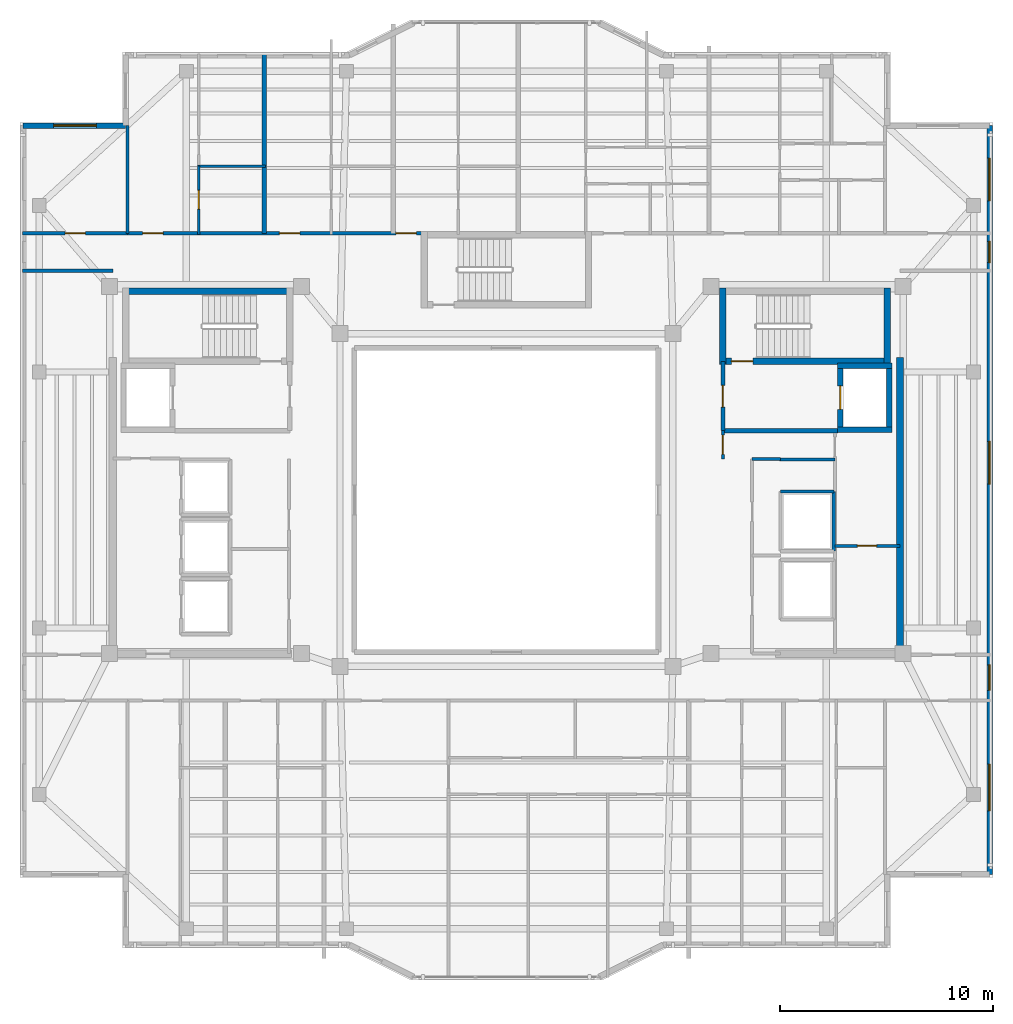
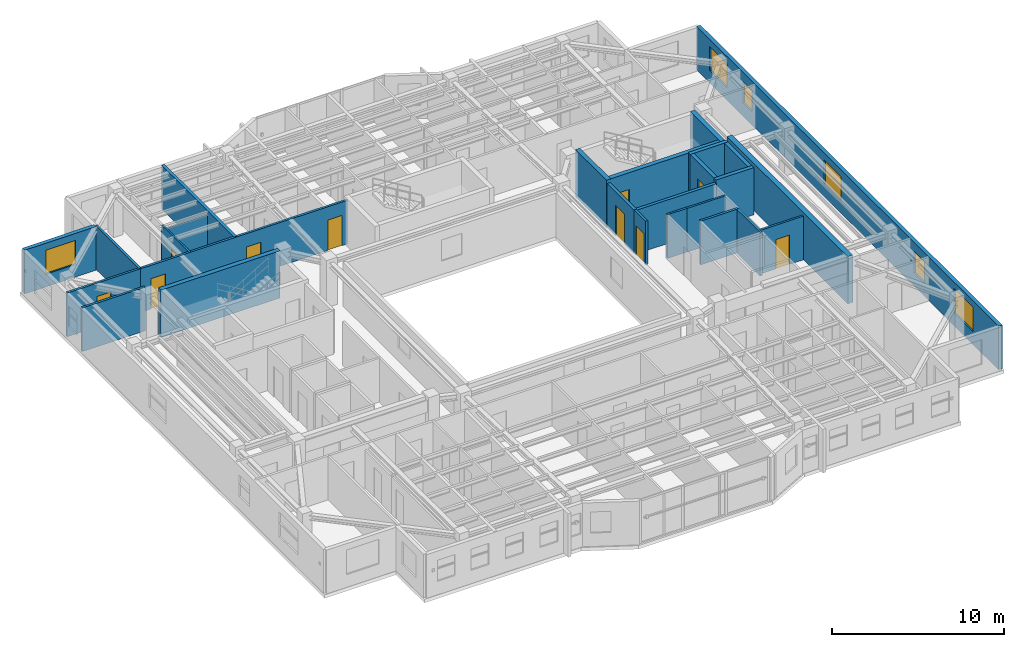
# One storey, part 9 of 14: 26 walls, 10 doors, 6 windows, 16 openings.
"""IFC4 building model written with IfcOpenShell, lengths in metres."""

from ifc_helpers import new_model, si_unit, direction, frame, frame_2d, origin, place, context, subcontext, project, spatial, rectangle, extrude, material, layer, layer_set, type_object, element, fill, save


model = new_model("IFC4")

# Units and contexts
model_context = context("Model", 3, precision=1e-05, world=origin(), true_north=direction((0.0, 1.0)))
body_context = subcontext(model_context, "Body", "Model", "MODEL_VIEW")
ifc_project = project(units=[si_unit("LENGTHUNIT", "METRE"), si_unit("AREAUNIT", "SQUARE_METRE"), si_unit("VOLUMEUNIT", "CUBIC_METRE"), si_unit("PLANEANGLEUNIT", "RADIAN"), si_unit("MASSUNIT", "GRAM", prefix="KILO")], contexts=[model_context])

# Site, building, storey
site_placement = place(None, origin())
site = spatial("IfcSite", under=ifc_project, at=site_placement, CompositionType="ELEMENT")
building_placement = place(site_placement, origin())
building = spatial("IfcBuilding", under=site, at=building_placement, Name="Tarnavaz Court Tower", CompositionType="ELEMENT")
storey_placement = place(building_placement, frame((0.0, 0.0, 261.60009765625)))
storey = spatial("IfcBuildingStorey", under=building, at=storey_placement, Name="L71", CompositionType="ELEMENT", Elevation=261.60009765625)

# Wall, opening, door
ifc_material_1 = material(Name="Concrete C50/60", Category="concrete")
ifc_layer_1 = layer(ifc_material_1, 0.25)
ifc_layer_set_1 = layer_set([ifc_layer_1], Name="Concrete C50/60")
wall_type_1 = type_object("IfcWallType", Name="WL-CORE-250-C50", PredefinedType="SHEAR", material=ifc_layer_set_1)
wall_1_placement = place(storey_placement, frame((15.64990234375, 3.175048828125, 0.0), z_axis=(0.0, 0.0, 1.0), x_axis=(0.0, 1.0, 0.0)))
wall_1 = element("IfcWall", 1, at=wall_1_placement, inside=storey, type_object=wall_type_1, Name="L71 Lift FL-E1 Shaft Wall 033", PredefinedType="SHEAR", context=body_context, shape_type="SweptSolid", body=[
    extrude(rectangle(XDim=3.25, YDim=0.25, at=frame_2d((1.625, 0.0))), origin(), (0.0, 0.0, 1.0), 3.349853515625),
])
opening_1_placement = place(wall_1_placement, frame((1.074951171875, 0.0, 0.0)))
opening_1 = element("IfcOpeningElement", 2, at=opening_1_placement, cuts=wall_1, Name="Opening LD1", PredefinedType="OPENING", context=body_context, shape_type="SweptSolid", body=[
    extrude(rectangle(XDim=1.10009765625, YDim=2.14990234375, at=frame_2d((0.550048828125, 1.074951171875))), frame((0.0, 0.135009765625, 0.0), z_axis=(0.0, -1.0, 0.0), x_axis=(1.0, 0.0, 0.0)), (0.0, 0.0, 1.0), 0.27001953125),
])
ifc_material_2 = material(Name="Stainless Steel", Category="steel")
door_type_1 = type_object("IfcDoorType", Name="DR-LD-1100", OperationType="NOTDEFINED", PredefinedType="DOOR", material=ifc_material_2)
door_1_placement = place(opening_1_placement, origin())
door_1 = element("IfcDoor", 3, at=door_1_placement, inside=storey, type_object=door_type_1, Name="L71 Lift Landing Door LD-FL-E1", OperationType="SLIDING_TO_LEFT", OverallHeight=2.14990234375, OverallWidth=1.10009765625, PredefinedType="DOOR", context=body_context, shape_type="SweptSolid", body=[
    extrude(rectangle(XDim=1.10009765625, YDim=2.14990234375, at=frame_2d((0.550048828125, 1.074951171875))), frame((0.0, 0.02490234375, 0.0), z_axis=(0.0, -1.0, 0.0), x_axis=(1.0, 0.0, 0.0)), (0.0, 0.0, 1.0), 0.050048828125),
])
fill(opening_1, door_1)

# Walls
wall_2_placement = place(storey_placement, frame((17.949951171875, 3.175048828125, 0.0), z_axis=(0.0, 0.0, 1.0), x_axis=(0.0, 1.0, 0.0)))
element("IfcWall", 4, at=wall_2_placement, inside=storey, type_object=wall_type_1, Name="L71 Lift FL-E1 Shaft Wall 034", PredefinedType="SHEAR", context=body_context, shape_type="SweptSolid", body=[
    extrude(rectangle(XDim=3.25, YDim=0.25, at=frame_2d((1.625, 0.0))), origin(), (0.0, 0.0, 1.0), 3.349853515625),
])
for number, where, z_axis, x_axis, name in (
    (5, (15.52490234375, 3.300048828125, 0.0), (0.0, 0.0, 1.0), (1.0, 0.0, 0.0), "L71 Lift FL-E1 Shaft Wall 035"),
    (6, (15.52490234375, 6.300048828125, 0.0), (0.0, 0.0, 1.0), (1.0, 0.0, 0.0), "L71 Lift FL-E1 Shaft Wall 036"),
):
    element("IfcWall", number, at=place(storey_placement, frame(where, z_axis=z_axis, x_axis=x_axis)), inside=storey, type_object=wall_type_1, Name=name, PredefinedType="SHEAR", context=body_context, shape_type="SweptSolid", body=[
        extrude(rectangle(XDim=2.550048828125, YDim=0.25, at=frame_2d((1.27490234375, 0.0))), origin(), (0.0, 0.0, 1.0), 3.349853515625),
    ])
ifc_layer_2 = layer(ifc_material_1, 0.300048828125)
ifc_layer_set_2 = layer_set([ifc_layer_2], Name="Concrete C50/60")
wall_type_2 = type_object("IfcWallType", Name="WL-CORE-300-C50", PredefinedType="SHEAR", material=ifc_layer_set_2)
wall_3_placement = place(storey_placement, frame((-18.0, 9.7900390625, 0.0), z_axis=(0.0, 0.0, 1.0), x_axis=(1.0, 0.0, 0.0)))
element("IfcWall", 7, at=wall_3_placement, inside=storey, type_object=wall_type_2, Name="L71 West Stair Core Wall 001", PredefinedType="SHEAR", context=body_context, shape_type="SweptSolid", body=[
    extrude(rectangle(XDim=8.0, YDim=0.300048828125, at=frame_2d((4.0, 0.0))), origin(), (0.0, 0.0, 1.0), 3.349853515625),
])

# Wall, opening, door
wall_4_placement = place(storey_placement, frame((10.0, 6.5, 0.0), z_axis=(0.0, 0.0, 1.0), x_axis=(1.0, 0.0, 0.0)))
wall_4 = element("IfcWall", 8, at=wall_4_placement, inside=storey, type_object=wall_type_2, Name="L71 East Stair Core Wall 006", PredefinedType="SHEAR", context=body_context, shape_type="SweptSolid", body=[
    extrude(rectangle(XDim=8.0, YDim=0.300048828125, at=frame_2d((4.0, 0.0))), origin(), (0.0, 0.0, 1.0), 3.349853515625),
])
opening_2_placement = place(wall_4_placement, frame((0.550048828125, 0.0, 0.0)))
opening_2 = element("IfcOpeningElement", 9, at=opening_2_placement, cuts=wall_4, Name="Opening D01", PredefinedType="OPENING", context=body_context, shape_type="SweptSolid", body=[
    extrude(rectangle(XDim=1.0, YDim=2.14990234375, at=frame_2d((0.5, 1.074951171875))), frame((0.0, 0.159912109375, 0.0), z_axis=(0.0, -1.0, 0.0), x_axis=(1.0, 0.0, 0.0)), (0.0, 0.0, 1.0), 0.320068359375),
])
ifc_material_3 = material(Name="Fire-Rated Hardwood Timber Core", Category="wood")
door_type_2 = type_object("IfcDoorType", Name="DR-FD90-1000", OperationType="NOTDEFINED", PredefinedType="DOOR", material=ifc_material_3)
door_2_placement = place(opening_2_placement, origin())
door_2 = element("IfcDoor", 10, at=door_2_placement, inside=storey, type_object=door_type_2, Name="L71 Stair ST-E1 Exit Door", OperationType="SINGLE_SWING_RIGHT", OverallHeight=2.14990234375, OverallWidth=1.0, PredefinedType="DOOR", context=body_context, shape_type="SweptSolid", body=[
    extrude(rectangle(XDim=1.0, YDim=2.14990234375, at=frame_2d((0.5, 1.074951171875))), frame((0.0, 0.02490234375, 0.0), z_axis=(0.0, -1.0, 0.0), x_axis=(1.0, 0.0, 0.0)), (0.0, 0.0, 1.0), 0.050048828125),
])
fill(opening_2, door_2)

# Walls
for number, where, z_axis, x_axis, name in (
    (11, (10.14990234375, 6.35009765625, 0.0), (0.0, 0.0, 1.0), (0.0, 1.0, 0.0), "L71 East Stair Core Wall 007"),
    (12, (17.85009765625, 6.35009765625, 0.0), (0.0, 0.0, 1.0), (0.0, 1.0, 0.0), "L71 East Stair Core Wall 008"),
):
    element("IfcWall", number, at=place(storey_placement, frame(where, z_axis=z_axis, x_axis=x_axis)), inside=storey, type_object=wall_type_2, Name=name, PredefinedType="SHEAR", context=body_context, shape_type="SweptSolid", body=[
        extrude(rectangle(XDim=3.58984375, YDim=0.300048828125, at=frame_2d((1.794921875, 0.0))), origin(), (0.0, 0.0, 1.0), 3.349853515625),
    ])
ifc_layer_3 = layer(ifc_material_1, 0.35009765625)
ifc_layer_set_3 = layer_set([ifc_layer_3], Name="Concrete C50/60")
wall_type_3 = type_object("IfcWallType", Name="WL-CORE-350-C50", PredefinedType="SHEAR", material=ifc_layer_set_3)
wall_5_placement = place(storey_placement, frame((18.449951171875, -7.375, 0.0), z_axis=(0.0, 0.0, 1.0), x_axis=(0.0, 1.0, 0.0)))
element("IfcWall", 13, at=wall_5_placement, inside=storey, type_object=wall_type_3, Name="L71 East Core Shear Wall 047", PredefinedType="SHEAR", context=body_context, shape_type="SweptSolid", body=[
    extrude(rectangle(XDim=14.050048828125, YDim=0.35009765625, at=frame_2d((7.02490234375, 0.0))), origin(), (0.0, 0.0, 1.0), 3.349853515625),
])

# Wall, opening, window
ifc_material_4 = material(Name="Precast Concrete C40/50", Category="concrete")
ifc_layer_4 = layer(ifc_material_4, 0.260009765625)
ifc_layer_set_4 = layer_set([ifc_layer_4], Name="Precast Concrete C40/50")
wall_type_4 = type_object("IfcWallType", Name="WL-EXT-260", PredefinedType="SOLIDWALL", material=ifc_layer_set_4)
wall_6_placement = place(storey_placement, frame((-22.64990234375, 17.550048828125, 0.0), z_axis=(0.0, 0.0, 1.0), x_axis=(1.0, 0.0, 0.0)))
wall_6 = element("IfcWall", 14, at=wall_6_placement, inside=storey, type_object=wall_type_4, Name="L71 Exterior Terracotta Facade Wall 03", PredefinedType="SOLIDWALL", context=body_context, shape_type="SweptSolid", body=[
    extrude(rectangle(XDim=4.7998046875, YDim=0.260009765625, at=frame_2d((2.39990234375, 0.0))), origin(), (0.0, 0.0, 1.0), 3.099853515625),
])
opening_3_placement = place(wall_6_placement, frame((1.42529296875, 0.0, 0.89990234375)))
opening_3 = element("IfcOpeningElement", 15, at=opening_3_placement, cuts=wall_6, Name="Opening W08", PredefinedType="OPENING", context=body_context, shape_type="SweptSolid", body=[
    extrude(rectangle(XDim=2.0, YDim=1.699951171875, at=frame_2d((1.0, 0.85009765625))), frame((0.0, 0.139892578125, 0.0), z_axis=(0.0, -1.0, 0.0), x_axis=(1.0, 0.0, 0.0)), (0.0, 0.0, 1.0), 0.280029296875),
])
ifc_material_5 = material(Name="Double-Glazed Solar Low-E Glass", Category="glass")
window_type_1 = type_object("IfcWindowType", Name="WN-APT-2000", PartitioningType="DOUBLE_PANEL_VERTICAL", PredefinedType="WINDOW", material=ifc_material_5)
window_1_placement = place(opening_3_placement, origin())
window_1 = element("IfcWindow", 16, at=window_1_placement, inside=storey, type_object=window_type_1, Name="L71 North-West Corner Sunroom Study Window", OverallHeight=1.699951171875, OverallWidth=2.0, PartitioningType="SINGLE_PANEL", PredefinedType="WINDOW", context=body_context, shape_type="SweptSolid", body=[
    extrude(rectangle(XDim=2.0, YDim=1.699951171875, at=frame_2d((1.0, 0.85009765625))), frame((0.0, 0.030029296875, 0.0), z_axis=(0.0, -1.0, 0.0), x_axis=(1.0, 0.0, 0.0)), (0.0, 0.0, 1.0), 0.06005859375),
])
fill(opening_3, window_1)

# Wall, openings, windows
wall_7_placement = place(storey_placement, frame((22.64990234375, 17.550048828125, 0.0), z_axis=(0.0, 0.0, 1.0), x_axis=(0.0, -1.0, 0.0)))
wall_7 = element("IfcWall", 17, at=wall_7_placement, inside=storey, type_object=wall_type_4, Name="L71 Exterior Terracotta Facade Wall 12", PredefinedType="SOLIDWALL", context=body_context, shape_type="SweptSolid", body=[
    extrude(rectangle(XDim=35.10009765625, YDim=0.260009765625, at=frame_2d((17.550048828125, 0.0))), origin(), (0.0, 0.0, 1.0), 3.099853515625),
])
opening_4_placement = place(wall_7_placement, frame((1.52490234375, 0.0, 0.89990234375)))
opening_4 = element("IfcOpeningElement", 18, at=opening_4_placement, cuts=wall_7, Name="Opening W08", PredefinedType="OPENING", context=body_context, shape_type="SweptSolid", body=[
    extrude(rectangle(XDim=2.0, YDim=1.699951171875, at=frame_2d((1.0, 0.85009765625))), frame((0.0, 0.139892578125, 0.0), z_axis=(0.0, -1.0, 0.0), x_axis=(1.0, 0.0, 0.0)), (0.0, 0.0, 1.0), 0.280029296875),
])
opening_5_placement = place(wall_7_placement, frame((5.425048828125, 0.0, 0.949951171875)))
opening_5 = element("IfcOpeningElement", 19, at=opening_5_placement, cuts=wall_7, Name="Opening W14", PredefinedType="OPENING", context=body_context, shape_type="SweptSolid", body=[
    extrude(rectangle(XDim=1.0, YDim=1.5, at=frame_2d((0.5, 0.75))), frame((0.0, 0.139892578125, 0.0), z_axis=(0.0, -1.0, 0.0), x_axis=(1.0, 0.0, 0.0)), (0.0, 0.0, 1.0), 0.280029296875),
])
opening_6_placement = place(wall_7_placement, frame((14.800048828125, 0.0, 0.89990234375)))
opening_6 = element("IfcOpeningElement", 20, at=opening_6_placement, cuts=wall_7, Name="Opening W08", PredefinedType="OPENING", context=body_context, shape_type="SweptSolid", body=[
    extrude(rectangle(XDim=2.0, YDim=1.699951171875, at=frame_2d((1.0, 0.85009765625))), frame((0.0, 0.139892578125, 0.0), z_axis=(0.0, -1.0, 0.0), x_axis=(1.0, 0.0, 0.0)), (0.0, 0.0, 1.0), 0.280029296875),
])
opening_7_placement = place(wall_7_placement, frame((25.27490234375, 0.0, 0.949951171875)))
opening_7 = element("IfcOpeningElement", 21, at=opening_7_placement, cuts=wall_7, Name="Opening W05", PredefinedType="OPENING", context=body_context, shape_type="SweptSolid", body=[
    extrude(rectangle(XDim=1.199951171875, YDim=1.5, at=frame_2d((0.60009765625, 0.75))), frame((0.0, 0.139892578125, 0.0), z_axis=(0.0, -1.0, 0.0), x_axis=(1.0, 0.0, 0.0)), (0.0, 0.0, 1.0), 0.280029296875),
])
opening_8_placement = place(wall_7_placement, frame((29.925048828125, 0.0, 0.89990234375)))
opening_8 = element("IfcOpeningElement", 22, at=opening_8_placement, cuts=wall_7, Name="Opening W07", PredefinedType="OPENING", context=body_context, shape_type="SweptSolid", body=[
    extrude(rectangle(XDim=2.199951171875, YDim=1.75, at=frame_2d((1.10009765625, 0.875))), frame((0.0, 0.139892578125, 0.0), z_axis=(0.0, -1.0, 0.0), x_axis=(1.0, 0.0, 0.0)), (0.0, 0.0, 1.0), 0.280029296875),
])
window_type_2 = type_object("IfcWindowType", Name="WN-APT-1000", PartitioningType="SINGLE_PANEL", PredefinedType="WINDOW", material=ifc_material_5)
window_2_placement = place(opening_5_placement, origin())
window_2 = element("IfcWindow", 23, at=window_2_placement, inside=storey, type_object=window_type_2, Name="L71 North-East Corner Corridor Window", OverallHeight=1.5, OverallWidth=1.0, PartitioningType="SINGLE_PANEL", PredefinedType="WINDOW", context=body_context, shape_type="SweptSolid", body=[
    extrude(rectangle(XDim=1.0, YDim=1.5, at=frame_2d((0.5, 0.75))), frame((0.0, 0.030029296875, 0.0), z_axis=(0.0, -1.0, 0.0), x_axis=(1.0, 0.0, 0.0)), (0.0, 0.0, 1.0), 0.06005859375),
])
fill(opening_5, window_2)
window_type_3 = type_object("IfcWindowType", Name="WN-APT-1200", PartitioningType="SINGLE_PANEL", PredefinedType="WINDOW", material=ifc_material_5)
window_3_placement = place(opening_7_placement, origin())
window_3 = element("IfcWindow", 24, at=window_3_placement, inside=storey, type_object=window_type_3, Name="L71 South-East Corner Corridor Window", OverallHeight=1.5, OverallWidth=1.199951171875, PartitioningType="SINGLE_PANEL", PredefinedType="WINDOW", context=body_context, shape_type="SweptSolid", body=[
    extrude(rectangle(XDim=1.199951171875, YDim=1.5, at=frame_2d((0.60009765625, 0.75))), frame((0.0, 0.030029296875, 0.0), z_axis=(0.0, -1.0, 0.0), x_axis=(1.0, 0.0, 0.0)), (0.0, 0.0, 1.0), 0.06005859375),
])
fill(opening_7, window_3)
window_4_placement = place(opening_4_placement, origin())
window_4 = element("IfcWindow", 25, at=window_4_placement, inside=storey, type_object=window_type_1, Name="L71 North-East Corner Sunroom Study Window", OverallHeight=1.699951171875, OverallWidth=2.0, PartitioningType="SINGLE_PANEL", PredefinedType="WINDOW", context=body_context, shape_type="SweptSolid", body=[
    extrude(rectangle(XDim=2.0, YDim=1.699951171875, at=frame_2d((1.0, 0.85009765625))), frame((0.0, 0.030029296875, 0.0), z_axis=(0.0, -1.0, 0.0), x_axis=(1.0, 0.0, 0.0)), (0.0, 0.0, 1.0), 0.06005859375),
])
fill(opening_4, window_4)
window_5_placement = place(opening_6_placement, origin())
window_5 = element("IfcWindow", 26, at=window_5_placement, inside=storey, type_object=window_type_1, Name="L71 East Wing Resident Fitness Lounge Window", OverallHeight=1.699951171875, OverallWidth=2.0, PartitioningType="SINGLE_PANEL", PredefinedType="WINDOW", context=body_context, shape_type="SweptSolid", body=[
    extrude(rectangle(XDim=2.0, YDim=1.699951171875, at=frame_2d((1.0, 0.85009765625))), frame((0.0, 0.030029296875, 0.0), z_axis=(0.0, -1.0, 0.0), x_axis=(1.0, 0.0, 0.0)), (0.0, 0.0, 1.0), 0.06005859375),
])
fill(opening_6, window_5)
window_type_4 = type_object("IfcWindowType", Name="WN-APT-2200", PartitioningType="TRIPLE_PANEL_VERTICAL", PredefinedType="WINDOW", material=ifc_material_5)
window_6_placement = place(opening_8_placement, origin())
window_6 = element("IfcWindow", 27, at=window_6_placement, inside=storey, type_object=window_type_4, Name="L71 South-East Corner Reading Room Window", OverallHeight=1.75, OverallWidth=2.199951171875, PartitioningType="SINGLE_PANEL", PredefinedType="WINDOW", context=body_context, shape_type="SweptSolid", body=[
    extrude(rectangle(XDim=2.199951171875, YDim=1.75, at=frame_2d((1.10009765625, 0.875))), frame((0.0, 0.030029296875, 0.0), z_axis=(0.0, -1.0, 0.0), x_axis=(1.0, 0.0, 0.0)), (0.0, 0.0, 1.0), 0.06005859375),
])
fill(opening_8, window_6)

# Wall, openings, doors
ifc_material_6 = material(Name="Gypsum Fire-Board on Acoustic Metal Stud", Category="masonry")
ifc_layer_5 = layer(ifc_material_6, 0.14990234375)
ifc_layer_set_5 = layer_set([ifc_layer_5], Name="Gypsum Fire-Board on Acoustic Metal Stud")
wall_type_5 = type_object("IfcWallType", Name="WL-FIRE-150", PredefinedType="PARTITIONING", material=ifc_layer_set_5)
wall_8_placement = place(storey_placement, frame((-17.75, 12.5, 0.0), z_axis=(0.0, 0.0, 1.0), x_axis=(1.0, 0.0, 0.0)))
wall_8 = element("IfcWall", 28, at=wall_8_placement, inside=storey, type_object=wall_type_5, Name="L71 NW Wing Corridor Wall 060", PredefinedType="PARTITIONING", context=body_context, shape_type="SweptSolid", body=[
    extrude(rectangle(XDim=13.89990234375, YDim=0.14990234375, at=frame_2d((6.949951171875, 0.0))), origin(), (0.0, 0.0, 1.0), 3.099853515625),
])
opening_9_placement = place(wall_8_placement, frame((0.699951171875, 0.0, 0.0)))
opening_9 = element("IfcOpeningElement", 29, at=opening_9_placement, cuts=wall_8, Name="Opening D06", PredefinedType="OPENING", context=body_context, shape_type="SweptSolid", body=[
    extrude(rectangle(XDim=0.9599609375, YDim=2.14990234375, at=frame_2d((0.47998046875, 1.074951171875))), frame((0.0, 0.0849609375, 0.0), z_axis=(0.0, -1.0, 0.0), x_axis=(1.0, 0.0, 0.0)), (0.0, 0.0, 1.0), 0.169921875),
])
opening_10_placement = place(wall_8_placement, frame((7.10498046875, 0.0, 0.0)))
opening_10 = element("IfcOpeningElement", 30, at=opening_10_placement, cuts=wall_8, Name="Opening D06", PredefinedType="OPENING", context=body_context, shape_type="SweptSolid", body=[
    extrude(rectangle(XDim=0.9599609375, YDim=2.14990234375, at=frame_2d((0.47998046875, 1.074951171875))), frame((0.0, 0.0849609375, 0.0), z_axis=(0.0, -1.0, 0.0), x_axis=(1.0, 0.0, 0.0)), (0.0, 0.0, 1.0), 0.169921875),
])
opening_11_placement = place(wall_8_placement, frame((12.570068359375, 0.0, 0.0)))
opening_11 = element("IfcOpeningElement", 31, at=opening_11_placement, cuts=wall_8, Name="Opening D06", PredefinedType="OPENING", context=body_context, shape_type="SweptSolid", body=[
    extrude(rectangle(XDim=0.9599609375, YDim=2.14990234375, at=frame_2d((0.47998046875, 1.074951171875))), frame((0.0, 0.0849609375, 0.0), z_axis=(0.0, -1.0, 0.0), x_axis=(1.0, 0.0, 0.0)), (0.0, 0.0, 1.0), 0.169921875),
])
door_type_3 = type_object("IfcDoorType", Name="DR-FD60-950", OperationType="NOTDEFINED", PredefinedType="DOOR", material=ifc_material_3)
door_3_placement = place(opening_9_placement, origin())
door_3 = element("IfcDoor", 32, at=door_3_placement, inside=storey, type_object=door_type_3, Name="L71 Flat 01 Entrance Door", OperationType="SINGLE_SWING_RIGHT", OverallHeight=2.14990234375, OverallWidth=0.9599609375, PredefinedType="DOOR", context=body_context, shape_type="SweptSolid", body=[
    extrude(rectangle(XDim=0.9599609375, YDim=2.14990234375, at=frame_2d((0.47998046875, 1.074951171875))), frame((0.0, 0.02490234375, 0.0), z_axis=(0.0, -1.0, 0.0), x_axis=(1.0, 0.0, 0.0)), (0.0, 0.0, 1.0), 0.050048828125),
])
fill(opening_9, door_3)
door_4_placement = place(opening_10_placement, origin())
door_4 = element("IfcDoor", 33, at=door_4_placement, inside=storey, type_object=door_type_3, Name="L71 Flat 02 Entrance Door", OperationType="SINGLE_SWING_LEFT", OverallHeight=2.14990234375, OverallWidth=0.9599609375, PredefinedType="DOOR", context=body_context, shape_type="SweptSolid", body=[
    extrude(rectangle(XDim=0.9599609375, YDim=2.14990234375, at=frame_2d((0.47998046875, 1.074951171875))), frame((0.0, 0.02490234375, 0.0), z_axis=(0.0, -1.0, 0.0), x_axis=(1.0, 0.0, 0.0)), (0.0, 0.0, 1.0), 0.050048828125),
])
fill(opening_10, door_4)
door_5_placement = place(opening_11_placement, origin())
door_5 = element("IfcDoor", 34, at=door_5_placement, inside=storey, type_object=door_type_3, Name="L71 Flat 03 Entrance Door", OperationType="SINGLE_SWING_RIGHT", OverallHeight=2.14990234375, OverallWidth=0.9599609375, PredefinedType="DOOR", context=body_context, shape_type="SweptSolid", body=[
    extrude(rectangle(XDim=0.9599609375, YDim=2.14990234375, at=frame_2d((0.47998046875, 1.074951171875))), frame((0.0, 0.02490234375, 0.0), z_axis=(0.0, -1.0, 0.0), x_axis=(1.0, 0.0, 0.0)), (0.0, 0.0, 1.0), 0.050048828125),
])
fill(opening_11, door_5)

# Wall
wall_9_placement = place(storey_placement, frame((-22.679931640625, 10.75, 0.0), z_axis=(0.0, 0.0, 1.0), x_axis=(1.0, 0.0, 0.0)))
element("IfcWall", 35, at=wall_9_placement, inside=storey, type_object=wall_type_5, Name="L71 Interior Partition 114", PredefinedType="PARTITIONING", context=body_context, shape_type="SweptSolid", body=[
    extrude(rectangle(XDim=4.22998046875, YDim=0.14990234375, at=frame_2d((2.114990234375, 0.0))), origin(), (0.0, 0.0, 1.0), 3.099853515625),
])

# Wall, opening, door
wall_10_placement = place(storey_placement, frame((-22.679931640625, 12.5, 0.0), z_axis=(0.0, 0.0, 1.0), x_axis=(1.0, 0.0, 0.0)))
wall_10 = element("IfcWall", 36, at=wall_10_placement, inside=storey, type_object=wall_type_5, Name="L71 Interior Partition 121", PredefinedType="PARTITIONING", context=body_context, shape_type="SweptSolid", body=[
    extrude(rectangle(XDim=4.929931640625, YDim=0.14990234375, at=frame_2d((2.46484375, 0.0))), origin(), (0.0, 0.0, 1.0), 3.099853515625),
])
opening_12_placement = place(wall_10_placement, frame((1.989990234375, 0.0, 0.0)))
opening_12 = element("IfcOpeningElement", 37, at=opening_12_placement, cuts=wall_10, Name="Opening D13", PredefinedType="OPENING", context=body_context, shape_type="SweptSolid", body=[
    extrude(rectangle(XDim=0.949951171875, YDim=2.14990234375, at=frame_2d((0.47509765625, 1.074951171875))), frame((0.0, 0.0849609375, 0.0), z_axis=(0.0, -1.0, 0.0), x_axis=(1.0, 0.0, 0.0)), (0.0, 0.0, 1.0), 0.169921875),
])
ifc_material_7 = material(Name="Engineered Oak Timber", Category="wood")
door_type_4 = type_object("IfcDoorType", Name="DR-INT-950", OperationType="NOTDEFINED", PredefinedType="DOOR", material=ifc_material_7)
door_6_placement = place(opening_12_placement, origin())
door_6 = element("IfcDoor", 38, at=door_6_placement, inside=storey, type_object=door_type_4, Name="L71 NW Sunroom Door", OperationType="SINGLE_SWING_RIGHT", OverallHeight=2.14990234375, OverallWidth=0.949951171875, PredefinedType="DOOR", context=body_context, shape_type="SweptSolid", body=[
    extrude(rectangle(XDim=0.949951171875, YDim=2.14990234375, at=frame_2d((0.47509765625, 1.074951171875))), frame((0.0, 0.02490234375, 0.0), z_axis=(0.0, -1.0, 0.0), x_axis=(1.0, 0.0, 0.0)), (0.0, 0.0, 1.0), 0.050048828125),
])
fill(opening_12, door_6)

# Wall
ifc_material_8 = material(Name="Autoclaved Aerated Concrete Blockwork", Category="masonry")
ifc_layer_6 = layer(ifc_material_8, 0.199951171875)
ifc_layer_set_6 = layer_set([ifc_layer_6], Name="Autoclaved Aerated Concrete Blockwork")
wall_type_6 = type_object("IfcWallType", Name="WL-FIRE-200", PredefinedType="SOLIDWALL", material=ifc_layer_set_6)
wall_11_placement = place(storey_placement, frame((10.14990234375, 3.25, 0.0), z_axis=(0.0, 0.0, 1.0), x_axis=(1.0, 0.0, 0.0)))
element("IfcWall", 39, at=wall_11_placement, inside=storey, type_object=wall_type_6, Name="L71 East Firefighting Lobby Wall 015", PredefinedType="SOLIDWALL", context=body_context, shape_type="SweptSolid", body=[
    extrude(rectangle(XDim=5.400146484375, YDim=0.199951171875, at=frame_2d((2.7001953125, 0.0))), origin(), (0.0, 0.0, 1.0), 3.099853515625),
])

# Wall, opening, door
wall_12_placement = place(storey_placement, frame((10.14990234375, 3.25, 0.0), z_axis=(0.0, 0.0, 1.0), x_axis=(0.0, 1.0, 0.0)))
wall_12 = element("IfcWall", 40, at=wall_12_placement, inside=storey, type_object=wall_type_6, Name="L71 East Firefighting Lobby Wall 016", PredefinedType="SOLIDWALL", context=body_context, shape_type="SweptSolid", body=[
    extrude(rectangle(XDim=3.25, YDim=0.199951171875, at=frame_2d((1.625, 0.0))), origin(), (0.0, 0.0, 1.0), 3.099853515625),
])
opening_13_placement = place(wall_12_placement, frame((1.10009765625, 0.0, 0.0)))
opening_13 = element("IfcOpeningElement", 41, at=opening_13_placement, cuts=wall_12, Name="Opening D05", PredefinedType="OPENING", context=body_context, shape_type="SweptSolid", body=[
    extrude(rectangle(XDim=1.02001953125, YDim=2.14990234375, at=frame_2d((0.510009765625, 1.074951171875))), frame((0.0, 0.10986328125, 0.0), z_axis=(0.0, -1.0, 0.0), x_axis=(1.0, 0.0, 0.0)), (0.0, 0.0, 1.0), 0.219970703125),
])
door_type_5 = type_object("IfcDoorType", Name="DR-FD60-1000", OperationType="NOTDEFINED", PredefinedType="DOOR", material=ifc_material_3)
door_7_placement = place(opening_13_placement, origin())
door_7 = element("IfcDoor", 42, at=door_7_placement, inside=storey, type_object=door_type_5, Name="L71 East Firefighting Lobby Door", OperationType="SINGLE_SWING_LEFT", OverallHeight=2.14990234375, OverallWidth=1.02001953125, PredefinedType="DOOR", context=body_context, shape_type="SweptSolid", body=[
    extrude(rectangle(XDim=1.02001953125, YDim=2.14990234375, at=frame_2d((0.510009765625, 1.074951171875))), frame((0.0, 0.02490234375, 0.0), z_axis=(0.0, -1.0, 0.0), x_axis=(1.0, 0.0, 0.0)), (0.0, 0.0, 1.0), 0.050048828125),
])
fill(opening_13, door_7)

# Wall
wall_13_placement = place(storey_placement, frame((-11.344970703125, 12.5, 0.0), z_axis=(0.0, 0.0, 1.0), x_axis=(0.0, 1.0, 0.0)))
element("IfcWall", 43, at=wall_13_placement, inside=storey, type_object=wall_type_6, Name="L71 Party Wall 065", PredefinedType="SOLIDWALL", context=body_context, shape_type="SweptSolid", body=[
    extrude(rectangle(XDim=8.39990234375, YDim=0.199951171875, at=frame_2d((4.199951171875, 0.0))), origin(), (0.0, 0.0, 1.0), 3.099853515625),
])

# Wall, opening, door
ifc_material_9 = material(Name="Moisture-Resistant Gypsum Board Partition", Category="masonry")
ifc_layer_7 = layer(ifc_material_9, 0.1201171875)
ifc_layer_set_7 = layer_set([ifc_layer_7], Name="Moisture-Resistant Gypsum Board Partition")
wall_type_7 = type_object("IfcWallType", Name="WL-PART-120", PredefinedType="PARTITIONING", material=ifc_layer_set_7)
wall_14_placement = place(storey_placement, frame((-14.422119140625, 12.43994140625, 0.0), z_axis=(0.0, 0.0, 1.0), x_axis=(0.0, 1.0, 0.0)))
wall_14 = element("IfcWall", 44, at=wall_14_placement, inside=storey, type_object=wall_type_7, Name="L71 Interior Partition 066", PredefinedType="PARTITIONING", context=body_context, shape_type="SweptSolid", body=[
    extrude(rectangle(XDim=3.2099609375, YDim=0.1201171875, at=frame_2d((1.60498046875, 0.0))), origin(), (0.0, 0.0, 1.0), 3.099853515625),
])
opening_14_placement = place(wall_14_placement, frame((1.195068359375, 0.0, 0.0)))
opening_14 = element("IfcOpeningElement", 45, at=opening_14_placement, cuts=wall_14, Name="Opening D14", PredefinedType="OPENING", context=body_context, shape_type="SweptSolid", body=[
    extrude(rectangle(XDim=0.8798828125, YDim=2.10009765625, at=frame_2d((0.43994140625, 1.050048828125))), frame((0.0, 0.070068359375, 0.0), z_axis=(0.0, -1.0, 0.0), x_axis=(1.0, 0.0, 0.0)), (0.0, 0.0, 1.0), 0.14013671875),
])
door_type_6 = type_object("IfcDoorType", Name="DR-INT-900", OperationType="NOTDEFINED", PredefinedType="DOOR", material=ifc_material_7)
door_8_placement = place(opening_14_placement, origin())
door_8 = element("IfcDoor", 46, at=door_8_placement, inside=storey, type_object=door_type_6, Name="L71 Flat 01 Bathroom Door", OperationType="SINGLE_SWING_LEFT", OverallHeight=2.10009765625, OverallWidth=0.8798828125, PredefinedType="DOOR", context=body_context, shape_type="SweptSolid", body=[
    extrude(rectangle(XDim=0.8798828125, YDim=2.10009765625, at=frame_2d((0.43994140625, 1.050048828125))), frame((0.0, 0.02490234375, 0.0), z_axis=(0.0, -1.0, 0.0), x_axis=(1.0, 0.0, 0.0)), (0.0, 0.0, 1.0), 0.050048828125),
])
fill(opening_14, door_8)

# Walls
wall_15_placement = place(storey_placement, frame((-14.48193359375, 15.64990234375, 0.0), z_axis=(0.0, 0.0, 1.0), x_axis=(1.0, 0.0, 0.0)))
element("IfcWall", 47, at=wall_15_placement, inside=storey, type_object=wall_type_7, Name="L71 Interior Partition 068", PredefinedType="PARTITIONING", context=body_context, shape_type="SweptSolid", body=[
    extrude(rectangle(XDim=3.197021484375, YDim=0.1201171875, at=frame_2d((1.5986328125, 0.0))), origin(), (0.0, 0.0, 1.0), 2.784912109375),
])
ifc_material_10 = material(Name="Gypsum Plasterboard Acoustic Partition", Category="masonry")
ifc_layer_8 = layer(ifc_material_10, 0.139892578125)
ifc_layer_set_8 = layer_set([ifc_layer_8], Name="Gypsum Plasterboard Acoustic Partition")
wall_type_8 = type_object("IfcWallType", Name="WL-PART-150", PredefinedType="PARTITIONING", material=ifc_layer_set_8)
wall_16_placement = place(storey_placement, frame((12.800048828125, 1.89990234375, 0.0), z_axis=(0.0, 0.0, 1.0), x_axis=(1.0, 0.0, 0.0)))
element("IfcWall", 48, at=wall_16_placement, inside=storey, type_object=wall_type_8, Name="L71 Interior Partition 052", PredefinedType="PARTITIONING", context=body_context, shape_type="SweptSolid", body=[
    extrude(rectangle(XDim=2.599853515625, YDim=0.139892578125, at=frame_2d((1.2998046875, 0.0))), origin(), (0.0, 0.0, 1.0), 3.099853515625),
])

# Wall, opening, door
wall_17_placement = place(storey_placement, frame((10.14990234375, 1.919921875, 0.0), z_axis=(0.0, 0.0, 1.0), x_axis=(0.0, 1.0, 0.0)))
wall_17 = element("IfcWall", 49, at=wall_17_placement, inside=storey, type_object=wall_type_8, Name="L71 Interior Partition 053", PredefinedType="PARTITIONING", context=body_context, shape_type="SweptSolid", body=[
    extrude(rectangle(XDim=1.330078125, YDim=0.139892578125, at=frame_2d((0.6650390625, 0.0))), origin(), (0.0, 0.0, 1.0), 3.099853515625),
])
opening_15_placement = place(wall_17_placement, frame((0.219970703125, 0.0, 0.0)))
opening_15 = element("IfcOpeningElement", 50, at=opening_15_placement, cuts=wall_17, Name="Opening D09", PredefinedType="OPENING", context=body_context, shape_type="SweptSolid", body=[
    extrude(rectangle(XDim=0.89990234375, YDim=2.080078125, at=frame_2d((0.449951171875, 1.0400390625))), frame((0.0, 0.079833984375, 0.0), z_axis=(0.0, -1.0, 0.0), x_axis=(1.0, 0.0, 0.0)), (0.0, 0.0, 1.0), 0.159912109375),
])
door_type_7 = type_object("IfcDoorType", Name="DR-FD30-900", OperationType="NOTDEFINED", PredefinedType="DOOR", material=ifc_material_3)
door_9_placement = place(opening_15_placement, origin())
door_9 = element("IfcDoor", 51, at=door_9_placement, inside=storey, type_object=door_type_7, Name="L71 East Core Service Lobby Door", OperationType="SINGLE_SWING_LEFT", OverallHeight=2.080078125, OverallWidth=0.89990234375, PredefinedType="DOOR", context=body_context, shape_type="SweptSolid", body=[
    extrude(rectangle(XDim=0.89990234375, YDim=2.080078125, at=frame_2d((0.449951171875, 1.0400390625))), frame((0.0, 0.02490234375, 0.0), z_axis=(0.0, -1.0, 0.0), x_axis=(1.0, 0.0, 0.0)), (0.0, 0.0, 1.0), 0.050048828125),
])
fill(opening_15, door_9)

wall_18_placement = place(storey_placement, frame((15.39990234375, -2.14990234375, 0.0), z_axis=(0.0, 0.0, 1.0), x_axis=(1.0, 0.0, 0.0)))
wall_18 = element("IfcWall", 52, at=wall_18_placement, inside=storey, type_object=wall_type_8, Name="L71 Interior Partition 055", PredefinedType="PARTITIONING", context=body_context, shape_type="SweptSolid", body=[
    extrude(rectangle(XDim=3.050048828125, YDim=0.139892578125, at=frame_2d((1.52490234375, 0.0))), origin(), (0.0, 0.0, 1.0), 3.099853515625),
])
opening_16_placement = place(wall_18_placement, frame((1.050048828125, 0.0, 0.0)))
opening_16 = element("IfcOpeningElement", 53, at=opening_16_placement, cuts=wall_18, Name="Opening D09", PredefinedType="OPENING", context=body_context, shape_type="SweptSolid", body=[
    extrude(rectangle(XDim=0.89990234375, YDim=2.080078125, at=frame_2d((0.449951171875, 1.0400390625))), frame((0.0, 0.079833984375, 0.0), z_axis=(0.0, -1.0, 0.0), x_axis=(1.0, 0.0, 0.0)), (0.0, 0.0, 1.0), 0.159912109375),
])
door_10_placement = place(opening_16_placement, origin())
door_10 = element("IfcDoor", 54, at=door_10_placement, inside=storey, type_object=door_type_7, Name="L71 East Electrical Plant Door", OperationType="SINGLE_SWING_LEFT", OverallHeight=2.080078125, OverallWidth=0.89990234375, PredefinedType="DOOR", context=body_context, shape_type="SweptSolid", body=[
    extrude(rectangle(XDim=0.89990234375, YDim=2.080078125, at=frame_2d((0.449951171875, 1.0400390625))), frame((0.0, 0.02490234375, 0.0), z_axis=(0.0, -1.0, 0.0), x_axis=(1.0, 0.0, 0.0)), (0.0, 0.0, 1.0), 0.050048828125),
])
fill(opening_16, door_10)

# Walls
wall_19_placement = place(storey_placement, frame((11.52001953125, 1.919921875, 0.0), z_axis=(0.0, 0.0, 1.0), x_axis=(1.0, 0.0, 0.0)))
element("IfcWall", 55, at=wall_19_placement, inside=storey, type_object=wall_type_8, Name="L71 Interior Partition 057", PredefinedType="PARTITIONING", context=body_context, shape_type="SweptSolid", body=[
    extrude(rectangle(XDim=1.330078125, YDim=0.139892578125, at=frame_2d((0.6650390625, 0.0))), origin(), (0.0, 0.0, 1.0), 3.099853515625),
])
wall_20_placement = place(storey_placement, frame((-17.75, 12.5, 0.0), z_axis=(0.0, 0.0, 1.0), x_axis=(0.0, 1.0, 0.0)))
element("IfcWall", 56, at=wall_20_placement, inside=storey, type_object=wall_type_8, Name="L71 Interior Partition 119", PredefinedType="PARTITIONING", context=body_context, shape_type="SweptSolid", body=[
    extrude(rectangle(XDim=5.050048828125, YDim=0.139892578125, at=frame_2d((2.52490234375, 0.0))), origin(), (0.0, 0.0, 1.0), 3.099853515625),
])
ifc_layer_9 = layer(ifc_material_8, 0.159912109375)
ifc_layer_set_9 = layer_set([ifc_layer_9], Name="Autoclaved Aerated Concrete Blockwork")
wall_type_9 = type_object("IfcWallType", Name="WL-SHAFT-150", PredefinedType="SOLIDWALL", material=ifc_layer_set_9)
wall_21_placement = place(storey_placement, frame((15.35009765625, -2.39990234375, 0.0), z_axis=(0.0, 0.0, 1.0), x_axis=(0.0, 1.0, 0.0)))
element("IfcWall", 57, at=wall_21_placement, inside=storey, type_object=wall_type_9, Name="L71 Lift PL-OB2 Shaft Wall 042", PredefinedType="SOLIDWALL", context=body_context, shape_type="SweptSolid", body=[
    extrude(rectangle(XDim=2.7998046875, YDim=0.159912109375, at=frame_2d((1.39990234375, 0.0))), origin(), (0.0, 0.0, 1.0), 3.099853515625),
])
wall_22_placement = place(storey_placement, frame((12.85009765625, 0.39990234375, 0.0), z_axis=(0.0, 0.0, 1.0), x_axis=(1.0, 0.0, 0.0)))
element("IfcWall", 58, at=wall_22_placement, inside=storey, type_object=wall_type_9, Name="L71 Lift PL-OB2 Shaft Wall 044", PredefinedType="SOLIDWALL", context=body_context, shape_type="SweptSolid", body=[
    extrude(rectangle(XDim=2.5, YDim=0.159912109375, at=frame_2d((1.25, 0.0))), origin(), (0.0, 0.0, 1.0), 3.099853515625),
])

save(model, "model.ifc")
